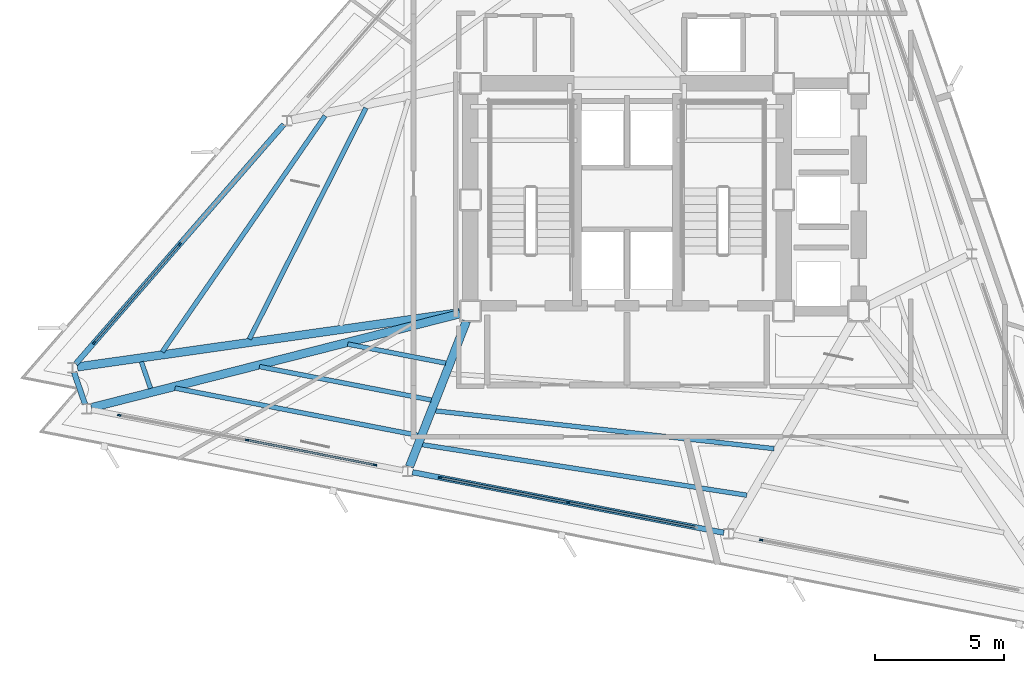
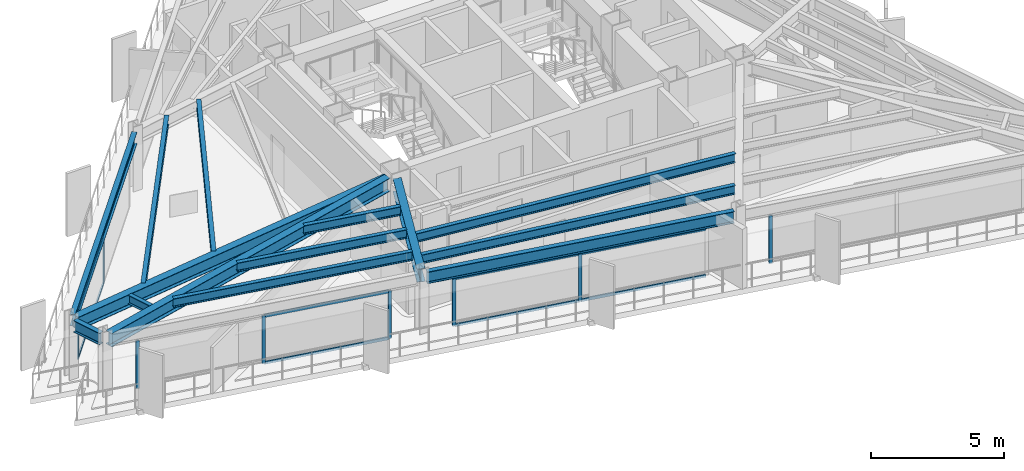
# One storey, part 2 of 13: 16 members, 14 beams, 4 elements without a shape of their own.
"""IFC4 building model written with IfcOpenShell, lengths in metres."""

from ifc_helpers import new_model, si_unit, direction, frame, origin, origin_2d, place, context, subcontext, project, spatial, rectangle, i_section, extrude, material, layer, layer_set, material_profile, profile_set, type_object, element, aggregate, save


model = new_model("IFC4")

# Units and contexts
model_context = context("Model", 3, precision=1e-05, world=origin(), true_north=direction((0.0, 1.0)))
body_context = subcontext(model_context, "Body", "Model", "MODEL_VIEW")
ifc_project = project(units=[si_unit("LENGTHUNIT", "METRE"), si_unit("AREAUNIT", "SQUARE_METRE"), si_unit("VOLUMEUNIT", "CUBIC_METRE"), si_unit("PLANEANGLEUNIT", "RADIAN"), si_unit("MASSUNIT", "GRAM", prefix="KILO")], contexts=[model_context])

# Site, building, storey
site_placement = place(None, origin())
site = spatial("IfcSite", under=ifc_project, at=site_placement, CompositionType="ELEMENT")
building_placement = place(site_placement, origin())
building = spatial("IfcBuilding", under=site, at=building_placement, Name="Rocaltana Carrier Exchange", CompositionType="ELEMENT")
storey_placement = place(building_placement, frame((0.0, 0.0, 150.239990234375)))
storey = spatial("IfcBuildingStorey", under=building, at=storey_placement, Name="L47", CompositionType="ELEMENT", Elevation=150.239990234375)

# Curtain wall, members
ifc_material_1 = material(Name="Aluminium 6063-T6", Category="aluminium")
ifc_layer = layer(ifc_material_1, 0.135009765625)
ifc_layer_set = layer_set([ifc_layer], Name="Aluminium 6063-T6")
curtain_wall_type = type_object("IfcCurtainWallType", Name="Upper-Mid Acoustic Curtain Wall CW-04", PredefinedType="NOTDEFINED", material=ifc_layer_set)
curtain_wall_1_placement = place(storey_placement, origin())
curtain_wall_1 = element("IfcCurtainWall", 1, at=curtain_wall_1_placement, inside=storey, type_object=curtain_wall_type, Name="L47 CW-04 Run CW-L47-F2S3", PredefinedType="NOTDEFINED")
ifc_material_2 = material(Name="Aluminium 6063-T6", Category="aluminium")
ifc_material_profile_1 = material_profile(ifc_material_2, rectangle(XDim=0.06494140625, YDim=0.135009765625, at=origin_2d()), Name="AL-65X135")
ifc_profile_set_1 = profile_set([ifc_material_profile_1], Name="Aluminium 6063-T6")
member_type_1 = type_object("IfcMemberType", Name="CW-04 Mullion AL-65X135", PredefinedType="MULLION", material=ifc_profile_set_1)
member_1_placement = place(storey_placement, frame((-17.279541015625, -1.718505859375, 0.0), z_axis=(0.0, 0.0, 1.0), x_axis=(0.75471173919, -0.656056545375, 0.0)))
member_1 = element("IfcMember", 2, at=member_1_placement, type_object=member_type_1, Name="CW-04 mullion 2", PredefinedType="MULLION", context=body_context, shape_type="SweptSolid", body=[
    extrude(rectangle(XDim=0.06494140625, YDim=0.135009765625, at=origin_2d()), origin(), (0.0, 0.0, 1.0), 2.218017578125),
])
member_2_placement = place(storey_placement, frame((-20.582275390625, -5.517822265625, 0.0), z_axis=(0.0, 0.0, 1.0), x_axis=(0.75471173919, -0.656056545375, 0.0)))
member_2 = element("IfcMember", 3, at=member_2_placement, type_object=member_type_1, Name="CW-04 mullion 3", PredefinedType="MULLION", context=body_context, shape_type="SweptSolid", body=[
    extrude(rectangle(XDim=0.06494140625, YDim=0.135009765625, at=origin_2d()), origin(), (0.0, 0.0, 1.0), 2.218017578125),
])

curtain_wall_2_placement = place(storey_placement, origin())
curtain_wall_2 = element("IfcCurtainWall", 4, at=curtain_wall_2_placement, inside=storey, type_object=curtain_wall_type, Name="L47 CW-04 Run CW-L47-F3S1", PredefinedType="NOTDEFINED")
member_3_placement = place(storey_placement, frame((-19.6162109375, -8.323486328125, 0.0), z_axis=(0.0, 0.0, 1.0), x_axis=(0.190803361378, 0.981628278569, 0.0)))
member_3 = element("IfcMember", 5, at=member_3_placement, type_object=member_type_1, Name="CW-04 mullion 1", PredefinedType="MULLION", context=body_context, shape_type="SweptSolid", body=[
    extrude(rectangle(XDim=0.06494140625, YDim=0.135009765625, at=origin_2d()), origin(), (0.0, 0.0, 1.0), 2.218017578125),
])
member_4_placement = place(storey_placement, frame((-14.674560546875, -9.2841796875, 0.0), z_axis=(0.0, 0.0, 1.0), x_axis=(0.190803361378, 0.981628278569, 0.0)))
member_4 = element("IfcMember", 6, at=member_4_placement, type_object=member_type_1, Name="CW-04 mullion 2", PredefinedType="MULLION", context=body_context, shape_type="SweptSolid", body=[
    extrude(rectangle(XDim=0.06494140625, YDim=0.135009765625, at=origin_2d()), origin(), (0.0, 0.0, 1.0), 2.218017578125),
])
member_5_placement = place(storey_placement, frame((-9.732666015625, -10.24462890625, 0.0), z_axis=(0.0, 0.0, 1.0), x_axis=(0.190803361378, 0.981628278569, 0.0)))
member_5 = element("IfcMember", 7, at=member_5_placement, type_object=member_type_1, Name="CW-04 mullion 3", PredefinedType="MULLION", context=body_context, shape_type="SweptSolid", body=[
    extrude(rectangle(XDim=0.06494140625, YDim=0.135009765625, at=origin_2d()), origin(), (0.0, 0.0, 1.0), 2.218017578125),
])

curtain_wall_3_placement = place(storey_placement, origin())
curtain_wall_3 = element("IfcCurtainWall", 8, at=curtain_wall_3_placement, inside=storey, type_object=curtain_wall_type, Name="L47 CW-04 Run CW-L47-F3S2", PredefinedType="NOTDEFINED")
member_6_placement = place(storey_placement, frame((-7.21484375, -10.734130859375, 0.0), z_axis=(0.0, 0.0, 1.0), x_axis=(0.190814718784, 0.981626070913, 0.0)))
member_6 = element("IfcMember", 9, at=member_6_placement, type_object=member_type_1, Name="CW-04 mullion 1", PredefinedType="MULLION", context=body_context, shape_type="SweptSolid", body=[
    extrude(rectangle(XDim=0.06494140625, YDim=0.135009765625, at=origin_2d()), origin(), (0.0, 0.0, 1.0), 2.218017578125),
])
member_7_placement = place(storey_placement, frame((-2.273193359375, -11.694580078125, 0.0), z_axis=(0.0, 0.0, 1.0), x_axis=(0.190814718784, 0.981626070913, 0.0)))
member_7 = element("IfcMember", 10, at=member_7_placement, type_object=member_type_1, Name="CW-04 mullion 2", PredefinedType="MULLION", context=body_context, shape_type="SweptSolid", body=[
    extrude(rectangle(XDim=0.06494140625, YDim=0.135009765625, at=origin_2d()), origin(), (0.0, 0.0, 1.0), 2.218017578125),
])

# Curtain wall, member
curtain_wall_4_placement = place(storey_placement, origin())
curtain_wall_4 = element("IfcCurtainWall", 11, at=curtain_wall_4_placement, inside=storey, type_object=curtain_wall_type, Name="L47 CW-04 Run CW-L47-F3S3", PredefinedType="NOTDEFINED")
member_8_placement = place(storey_placement, frame((5.186279296875, -13.144775390625, 0.0), z_axis=(0.0, 0.0, 1.0), x_axis=(0.190805209699, 0.981627919301, 0.0)))
member_8 = element("IfcMember", 12, at=member_8_placement, type_object=member_type_1, Name="CW-04 mullion 1", PredefinedType="MULLION", context=body_context, shape_type="SweptSolid", body=[
    extrude(rectangle(XDim=0.06494140625, YDim=0.135009765625, at=origin_2d()), origin(), (0.0, 0.0, 1.0), 2.218017578125),
])
aggregate(curtain_wall_4, [member_8])

# Member
ifc_material_3 = material(Name="Aluminium 6063-T6", Category="aluminium")
ifc_material_profile_2 = material_profile(ifc_material_3, rectangle(XDim=0.06494140625, YDim=0.135009765625, at=origin_2d()), Name="AL-65X135")
ifc_profile_set_2 = profile_set([ifc_material_profile_2], Name="Aluminium 6063-T6")
member_type_2 = type_object("IfcMemberType", Name="CW-04 Transom AL-65X135", PredefinedType="USERDEFINED", material=ifc_profile_set_2)
member_9_placement = place(storey_placement, frame((-17.30078125, -1.742919921875, 0.032470703125), z_axis=(-0.656055850486, -0.754712343243, 0.0), x_axis=(0.754712343243, -0.656055850486, 0.0)))
member_9 = element("IfcMember", 13, at=member_9_placement, type_object=member_type_2, Name="CW-04 transom 2.1", ObjectType="TRANSOM", PredefinedType="USERDEFINED", context=body_context, shape_type="SweptSolid", body=[
    extrude(rectangle(XDim=0.06494140625, YDim=0.135009765625, at=origin_2d()), origin(), (0.0, 0.0, 1.0), 4.968994140625),
])

member_10_placement = place(storey_placement, frame((-17.30078125, -1.742919921875, 2.185546875), z_axis=(-0.656055850486, -0.754712343243, 0.0), x_axis=(0.754712343243, -0.656055850486, 0.0)))
member_10 = element("IfcMember", 14, at=member_10_placement, type_object=member_type_2, Name="CW-04 transom 2.2", ObjectType="TRANSOM", PredefinedType="USERDEFINED", context=body_context, shape_type="SweptSolid", body=[
    extrude(rectangle(XDim=0.06494140625, YDim=0.135009765625, at=origin_2d()), origin(), (0.0, 0.0, 1.0), 4.968994140625),
])

aggregate(curtain_wall_1, [member_1, member_2, member_9, member_10])

member_11_placement = place(storey_placement, frame((-14.642578125, -9.290283203125, 0.032470703125), z_axis=(0.981624593621, -0.1908223184, 0.0), x_axis=(0.1908223184, 0.981624593621, 0.0)))
member_11 = element("IfcMember", 15, at=member_11_placement, type_object=member_type_2, Name="CW-04 transom 2.1", ObjectType="TRANSOM", PredefinedType="USERDEFINED", context=body_context, shape_type="SweptSolid", body=[
    extrude(rectangle(XDim=0.06494140625, YDim=0.135009765625, at=origin_2d()), origin(), (0.0, 0.0, 1.0), 4.96923828125),
])

member_12_placement = place(storey_placement, frame((-14.642578125, -9.290283203125, 2.185546875), z_axis=(0.981624593621, -0.1908223184, 0.0), x_axis=(0.1908223184, 0.981624593621, 0.0)))
member_12 = element("IfcMember", 16, at=member_12_placement, type_object=member_type_2, Name="CW-04 transom 2.2", ObjectType="TRANSOM", PredefinedType="USERDEFINED", context=body_context, shape_type="SweptSolid", body=[
    extrude(rectangle(XDim=0.06494140625, YDim=0.135009765625, at=origin_2d()), origin(), (0.0, 0.0, 1.0), 4.96923828125),
])

aggregate(curtain_wall_2, [member_3, member_4, member_5, member_11, member_12])

member_13_placement = place(storey_placement, frame((-7.18310546875, -10.740234375, 0.032470703125), z_axis=(0.981624593621, -0.1908223184, 0.0), x_axis=(0.1908223184, 0.981624593621, 0.0)))
member_13 = element("IfcMember", 17, at=member_13_placement, type_object=member_type_2, Name="CW-04 transom 1.1", ObjectType="TRANSOM", PredefinedType="USERDEFINED", context=body_context, shape_type="SweptSolid", body=[
    extrude(rectangle(XDim=0.06494140625, YDim=0.135009765625, at=origin_2d()), origin(), (0.0, 0.0, 1.0), 4.96923828125),
])

member_14_placement = place(storey_placement, frame((-7.18310546875, -10.740234375, 2.185546875), z_axis=(0.981624593621, -0.1908223184, 0.0), x_axis=(0.1908223184, 0.981624593621, 0.0)))
member_14 = element("IfcMember", 18, at=member_14_placement, type_object=member_type_2, Name="CW-04 transom 1.2", ObjectType="TRANSOM", PredefinedType="USERDEFINED", context=body_context, shape_type="SweptSolid", body=[
    extrude(rectangle(XDim=0.06494140625, YDim=0.135009765625, at=origin_2d()), origin(), (0.0, 0.0, 1.0), 4.96923828125),
])

member_15_placement = place(storey_placement, frame((-2.2412109375, -11.700927734375, 0.032470703125), z_axis=(0.9816228045, -0.190831521732, 0.0), x_axis=(0.190831521732, 0.9816228045, 0.0)))
member_15 = element("IfcMember", 19, at=member_15_placement, type_object=member_type_2, Name="CW-04 transom 2.1", ObjectType="TRANSOM", PredefinedType="USERDEFINED", context=body_context, shape_type="SweptSolid", body=[
    extrude(rectangle(XDim=0.06494140625, YDim=0.135009765625, at=origin_2d()), origin(), (0.0, 0.0, 1.0), 4.968994140625),
])

member_16_placement = place(storey_placement, frame((-2.2412109375, -11.700927734375, 2.185546875), z_axis=(0.9816228045, -0.190831521732, 0.0), x_axis=(0.190831521732, 0.9816228045, 0.0)))
member_16 = element("IfcMember", 20, at=member_16_placement, type_object=member_type_2, Name="CW-04 transom 2.2", ObjectType="TRANSOM", PredefinedType="USERDEFINED", context=body_context, shape_type="SweptSolid", body=[
    extrude(rectangle(XDim=0.06494140625, YDim=0.135009765625, at=origin_2d()), origin(), (0.0, 0.0, 1.0), 4.968994140625),
])

aggregate(curtain_wall_3, [member_6, member_7, member_13, member_14, member_15, member_16])

# Beams
ifc_material_4 = material(Name="Steel S355", Category="steel")
ifc_material_profile_3 = material_profile(ifc_material_4, i_section(OverallWidth=0.179931640625, OverallDepth=0.4130859375, WebThickness=0.009765625, FlangeThickness=0.01611328125, FilletRadius=0.012939453125, at=origin_2d()), Name="W16X50")
ifc_profile_set_3 = profile_set([ifc_material_profile_3], Name="Steel S355")
beam_type_1 = type_object("IfcBeamType", Name="Floor Joist W16X50", PredefinedType="JOIST", material=ifc_profile_set_3)
beam_1_placement = place(storey_placement, frame((-10.087890625, 3.548095703125, 2.58154296875), z_axis=(-0.449993841854, -0.893031658058, 0.0), x_axis=(0.893031658058, -0.449993841854, 0.0)))
element("IfcBeam", 21, at=beam_1_placement, inside=storey, type_object=beam_type_1, Name="FJ-L47-07-2", PredefinedType="JOIST", context=body_context, shape_type="SweptSolid", body=[
    extrude(i_section(OverallWidth=0.179931640625, OverallDepth=0.4130859375, WebThickness=0.009765625, FlangeThickness=0.01611328125, FilletRadius=0.012939453125, at=origin_2d()), origin(), (0.0, 0.0, 1.0), 10.0029296875),
])
beam_2_placement = place(storey_placement, frame((-11.665283203125, 3.239501953125, 2.58154296875), z_axis=(-0.567777260515, -0.823182229183, 0.0), x_axis=(0.823182229183, -0.567777260515, 0.0)))
element("IfcBeam", 22, at=beam_2_placement, inside=storey, type_object=beam_type_1, Name="FJ-L47-07-3", PredefinedType="JOIST", context=body_context, shape_type="SweptSolid", body=[
    extrude(i_section(OverallWidth=0.179931640625, OverallDepth=0.4130859375, WebThickness=0.009765625, FlangeThickness=0.01611328125, FilletRadius=0.012939453125, at=origin_2d()), origin(), (0.0, 0.0, 1.0), 11.073974609375),
])
beam_3_placement = place(storey_placement, frame((-18.75927734375, -6.26171875, 2.58154296875), z_axis=(0.32558209601, -0.945513775023, 0.0), x_axis=(0.945513775023, 0.32558209601, 0.0)))
element("IfcBeam", 23, at=beam_3_placement, inside=storey, type_object=beam_type_1, Name="FJ-L47-08-3", PredefinedType="JOIST", context=body_context, shape_type="SweptSolid", body=[
    extrude(i_section(OverallWidth=0.179931640625, OverallDepth=0.4130859375, WebThickness=0.009765625, FlangeThickness=0.01611328125, FilletRadius=0.012939453125, at=origin_2d()), origin(), (0.0, 0.0, 1.0), 1.08642578125),
])
beam_4_placement = place(storey_placement, frame((-10.7890625, -5.576904296875, 2.58154296875), z_axis=(0.981632516302, -0.190781558172, 0.0), x_axis=(0.190781558172, 0.981632516302, 0.0)))
element("IfcBeam", 24, at=beam_4_placement, inside=storey, type_object=beam_type_1, Name="FJ-L47-09-1", PredefinedType="JOIST", context=body_context, shape_type="SweptSolid", body=[
    extrude(i_section(OverallWidth=0.179931640625, OverallDepth=0.4130859375, WebThickness=0.009765625, FlangeThickness=0.01611328125, FilletRadius=0.012939453125, at=origin_2d()), origin(), (0.0, 0.0, 1.0), 3.85693359375),
])
beam_5_placement = place(storey_placement, frame((-14.198974609375, -6.44580078125, 2.58154296875), z_axis=(0.981623092211, -0.190830041758, 0.0), x_axis=(0.190830041758, 0.981623092211, 0.0)))
element("IfcBeam", 25, at=beam_5_placement, inside=storey, type_object=beam_type_1, Name="FJ-L47-09-2", PredefinedType="JOIST", context=body_context, shape_type="SweptSolid", body=[
    extrude(i_section(OverallWidth=0.179931640625, OverallDepth=0.4130859375, WebThickness=0.009765625, FlangeThickness=0.01611328125, FilletRadius=0.012939453125, at=origin_2d()), origin(), (0.0, 0.0, 1.0), 6.7626953125),
])
beam_6_placement = place(storey_placement, frame((-17.46044921875, -7.27734375, 2.58154296875), z_axis=(0.981630034489, -0.190794327456, 0.0), x_axis=(0.190794327456, 0.981630034489, 0.0)))
element("IfcBeam", 26, at=beam_6_placement, inside=storey, type_object=beam_type_1, Name="FJ-L47-09-3", PredefinedType="JOIST", context=body_context, shape_type="SweptSolid", body=[
    extrude(i_section(OverallWidth=0.179931640625, OverallDepth=0.4130859375, WebThickness=0.009765625, FlangeThickness=0.01611328125, FilletRadius=0.012939453125, at=origin_2d()), origin(), (0.0, 0.0, 1.0), 9.5419921875),
])
beam_7_placement = place(storey_placement, frame((-7.397705078125, -8.15478515625, 2.58154296875), z_axis=(0.993827043541, -0.110940558529, 0.0), x_axis=(0.110940558529, 0.993827043541, 0.0)))
element("IfcBeam", 27, at=beam_7_placement, inside=storey, type_object=beam_type_1, Name="FJ-L47-10-2", PredefinedType="JOIST", context=body_context, shape_type="SweptSolid", body=[
    extrude(i_section(OverallWidth=0.179931640625, OverallDepth=0.4130859375, WebThickness=0.009765625, FlangeThickness=0.01611328125, FilletRadius=0.012939453125, at=origin_2d()), origin(), (0.0, 0.0, 1.0), 13.159912109375),
])
beam_8_placement = place(storey_placement, frame((-7.90771484375, -9.461181640625, 2.58154296875), z_axis=(0.988080457821, -0.153938328148, 0.0), x_axis=(0.153938328148, 0.988080457821, 0.0)))
element("IfcBeam", 28, at=beam_8_placement, inside=storey, type_object=beam_type_1, Name="FJ-L47-10-3", PredefinedType="JOIST", context=body_context, shape_type="SweptSolid", body=[
    extrude(i_section(OverallWidth=0.179931640625, OverallDepth=0.4130859375, WebThickness=0.009765625, FlangeThickness=0.01611328125, FilletRadius=0.012939453125, at=origin_2d()), origin(), (0.0, 0.0, 1.0), 12.68603515625),
])
ifc_material_5 = material(Name="Steel S355", Category="steel")
ifc_material_profile_4 = material_profile(ifc_material_5, i_section(OverallWidth=0.323974609375, OverallDepth=0.611083984375, WebThickness=0.0126953125, FlangeThickness=0.01904296875, FilletRadius=0.01611328125, at=origin_2d()), Name="W24X104")
ifc_profile_set_4 = profile_set([ifc_material_profile_4], Name="Steel S355")
beam_type_2 = type_object("IfcBeamType", Name="Radial Girder W24X104", PredefinedType="BEAM", material=ifc_profile_set_4)
beam_9_placement = place(storey_placement, frame((-6.462890625, -4.358642578125, 2.482421875), z_axis=(-0.990043529364, -0.14076153581, 0.0), x_axis=(0.14076153581, -0.990043529364, 0.0)))
element("IfcBeam", 29, at=beam_9_placement, inside=storey, type_object=beam_type_2, Name="RG-L47-08", PredefinedType="BEAM", context=body_context, shape_type="SweptSolid", body=[
    extrude(i_section(OverallWidth=0.323974609375, OverallDepth=0.611083984375, WebThickness=0.0126953125, FlangeThickness=0.01904296875, FilletRadius=0.01611328125, at=origin_2d()), origin(), (0.0, 0.0, 1.0), 14.91943359375),
])
beam_10_placement = place(storey_placement, frame((-6.4541015625, -4.403076171875, 2.482421875), z_axis=(-0.969017811035, -0.246990853873, 0.0), x_axis=(0.246990853873, -0.969017811035, 0.0)))
element("IfcBeam", 30, at=beam_10_placement, inside=storey, type_object=beam_type_2, Name="RG-L47-09", PredefinedType="BEAM", context=body_context, shape_type="SweptSolid", body=[
    extrude(i_section(OverallWidth=0.323974609375, OverallDepth=0.611083984375, WebThickness=0.0126953125, FlangeThickness=0.01904296875, FilletRadius=0.01611328125, at=origin_2d()), origin(), (0.0, 0.0, 1.0), 14.6904296875),
])
beam_11_placement = place(storey_placement, frame((-6.2021484375, -4.688232421875, 2.482421875), z_axis=(-0.364640194484, -0.931148499739, 0.0), x_axis=(0.931148499739, -0.364640194484, 0.0)))
element("IfcBeam", 31, at=beam_11_placement, inside=storey, type_object=beam_type_2, Name="RG-L47-10", PredefinedType="BEAM", context=body_context, shape_type="SweptSolid", body=[
    extrude(i_section(OverallWidth=0.323974609375, OverallDepth=0.611083984375, WebThickness=0.0126953125, FlangeThickness=0.01904296875, FilletRadius=0.01611328125, at=origin_2d()), origin(), (0.0, 0.0, 1.0), 6.03857421875),
])
ifc_material_6 = material(Name="Steel S355", Category="steel")
ifc_material_profile_5 = material_profile(ifc_material_6, i_section(OverallWidth=0.2119140625, OverallDepth=0.5439453125, WebThickness=0.01318359375, FlangeThickness=0.021240234375, FilletRadius=0.014892578125, at=origin_2d()), Name="W21X83")
ifc_profile_set_5 = profile_set([ifc_material_profile_5], Name="Steel S355")
beam_type_3 = type_object("IfcBeamType", Name="Spandrel Edge Beam W21X83", PredefinedType="SPANDREL", material=ifc_profile_set_5)
beam_12_placement = place(storey_placement, frame((-13.260986328125, 2.904296875, 2.51611328125), z_axis=(-0.65606029169, -0.754708482573, 0.0), x_axis=(0.754708482573, -0.65606029169, 0.0)))
element("IfcBeam", 32, at=beam_12_placement, inside=storey, type_object=beam_type_3, Name="SP-L47-07", PredefinedType="SPANDREL", context=body_context, shape_type="SweptSolid", body=[
    extrude(i_section(OverallWidth=0.2119140625, OverallDepth=0.5439453125, WebThickness=0.01318359375, FlangeThickness=0.021240234375, FilletRadius=0.014892578125, at=origin_2d()), origin(), (0.0, 0.0, 1.0), 12.25048828125),
])
beam_13_placement = place(storey_placement, frame((-21.361328125, -6.666748046875, 2.51611328125), z_axis=(0.325551418294, -0.945524338157, 0.0), x_axis=(0.945524338157, 0.325551418294, 0.0)))
element("IfcBeam", 33, at=beam_13_placement, inside=storey, type_object=beam_type_3, Name="SP-L47-08", PredefinedType="SPANDREL", context=body_context, shape_type="SweptSolid", body=[
    extrude(i_section(OverallWidth=0.2119140625, OverallDepth=0.5439453125, WebThickness=0.01318359375, FlangeThickness=0.021240234375, FilletRadius=0.014892578125, at=origin_2d()), origin(), (0.0, 0.0, 1.0), 1.3017578125),
])
beam_14_placement = place(storey_placement, frame((-8.285888671875, -10.52587890625, 2.51611328125), z_axis=(0.981624930675, -0.190820584522, 0.0), x_axis=(0.190820584522, 0.981624930675, 0.0)))
element("IfcBeam", 34, at=beam_14_placement, inside=storey, type_object=beam_type_3, Name="SP-L47-10", PredefinedType="SPANDREL", context=body_context, shape_type="SweptSolid", body=[
    extrude(i_section(OverallWidth=0.2119140625, OverallDepth=0.5439453125, WebThickness=0.01318359375, FlangeThickness=0.021240234375, FilletRadius=0.014892578125, at=origin_2d()), origin(), (0.0, 0.0, 1.0), 12.25048828125),
])

save(model, "model.ifc")
